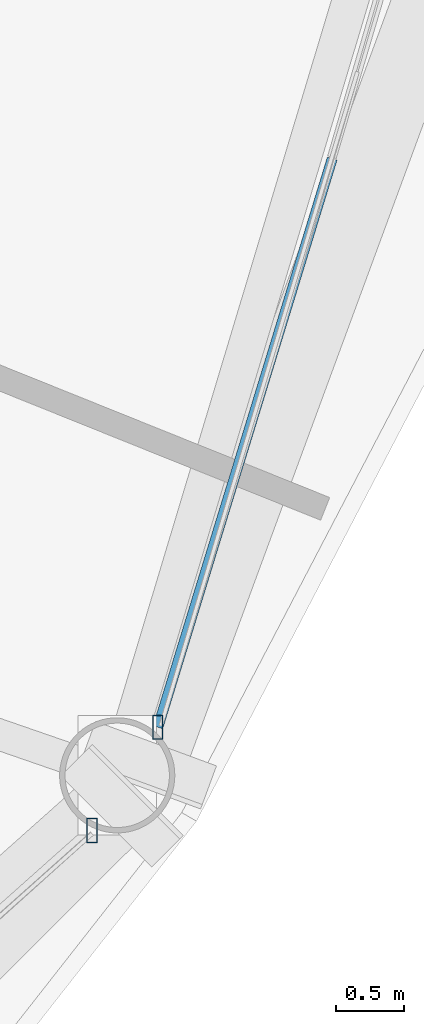
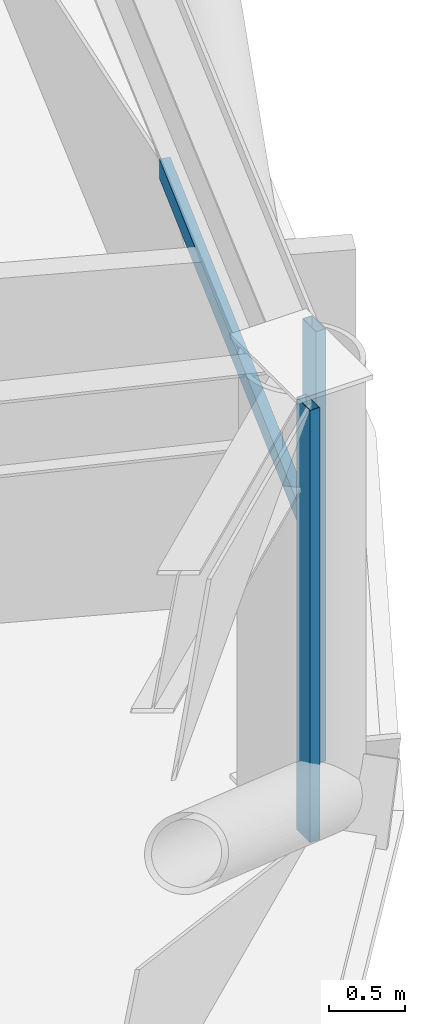
# One storey, part 12 of 30: 3 members, 2 elements without a shape of their own.
"""IFC4 building model written with IfcOpenShell, lengths in metres."""

from ifc_helpers import new_model, si_unit, direction, frame, origin, origin_2d, place, context, subcontext, project, spatial, hollow_rectangle, extrude, material, layer, layer_set, material_profile, profile_set, type_object, element, aggregate, save


model = new_model("IFC4")

# Units and contexts
model_context = context("Model", 3, precision=1e-05, world=origin(), true_north=direction((0.0, 1.0)))
body_context = subcontext(model_context, "Body", "Model", "MODEL_VIEW")
ifc_project = project(units=[si_unit("LENGTHUNIT", "METRE"), si_unit("AREAUNIT", "SQUARE_METRE"), si_unit("VOLUMEUNIT", "CUBIC_METRE"), si_unit("PLANEANGLEUNIT", "RADIAN"), si_unit("MASSUNIT", "GRAM", prefix="KILO")], contexts=[model_context])

# Site, building, storey
site_placement = place(None, origin())
site = spatial("IfcSite", under=ifc_project, at=site_placement, CompositionType="ELEMENT")
building_placement = place(site_placement, origin())
building = spatial("IfcBuilding", under=site, at=building_placement, Name="Vantalir Tower", CompositionType="ELEMENT")
storey_placement = place(building_placement, frame((0.0, 0.0, 49.5)))
storey = spatial("IfcBuildingStorey", under=building, at=storey_placement, Name="L11", CompositionType="ELEMENT", Elevation=49.5)

# Curtain wall, member
ifc_material_1 = material(Name="Champagne-silver PVDF aluminium and double-silver Low-E glass", Category="aluminium")
ifc_layer = layer(ifc_material_1, 0.18994140625)
ifc_layer_set = layer_set([ifc_layer], Name="Champagne-silver PVDF aluminium and double-silver Low-E glass")
curtain_wall_type = type_object("IfcCurtainWallType", Name="CW-DIAMOND-Z1", PredefinedType="USERDEFINED", material=ifc_layer_set)
curtain_wall_1_placement = place(storey_placement, origin())
curtain_wall_1 = element("IfcCurtainWall", 1, at=curtain_wall_1_placement, inside=storey, type_object=curtain_wall_type, Name="L11 Quilted Pyramid-Diamond Curtain Wall S11", ObjectType="UNITISED CURTAIN WALL", PredefinedType="USERDEFINED")
ifc_material_2 = material(Name="Champagne-silver PVDF aluminium 6063-T6", Category="aluminium")
ifc_material_profile_1 = material_profile(ifc_material_2, hollow_rectangle(XDim=0.074951171875, YDim=0.179931640625, WallThickness=0.00390625, at=origin_2d()), Name="Champagne-silver PVDF aluminium 6063-T6")
ifc_profile_set_1 = profile_set([ifc_material_profile_1], Name="Champagne-silver PVDF aluminium 6063-T6")
member_type_1 = type_object("IfcMemberType", Name="CWM-180x75", PredefinedType="MULLION", material=ifc_profile_set_1)
member_1_placement = place(storey_placement, frame((54.384033203125, 12.72900390625, 0.044921875), z_axis=(0.0, 0.0, 1.0), x_axis=(1.0, 0.0, 0.0)))
member_1 = element("IfcMember", 2, at=member_1_placement, type_object=member_type_1, Name="CW-L11-S11 Mullion 2", PredefinedType="MULLION", context=body_context, shape_type="SweptSolid", body=[
    extrude(hollow_rectangle(XDim=0.074951171875, YDim=0.179931640625, WallThickness=0.00390625, at=origin_2d()), origin(), (0.0, 0.0, 1.0), 3.47998046875),
])
aggregate(curtain_wall_1, [member_1])

# Curtain wall, members
curtain_wall_2_placement = place(storey_placement, origin())
curtain_wall_2 = element("IfcCurtainWall", 3, at=curtain_wall_2_placement, inside=storey, type_object=curtain_wall_type, Name="L11 Quilted Pyramid-Diamond Curtain Wall S12", ObjectType="UNITISED CURTAIN WALL", PredefinedType="USERDEFINED")
member_2_placement = place(storey_placement, frame((54.8701171875, 13.491943359375, 0.044921875), z_axis=(0.0, 0.0, 1.0), x_axis=(1.0, 0.0, 0.0)))
member_2 = element("IfcMember", 4, at=member_2_placement, type_object=member_type_1, Name="CW-L11-S12 Mullion 1", PredefinedType="MULLION", context=body_context, shape_type="SweptSolid", body=[
    extrude(hollow_rectangle(XDim=0.074951171875, YDim=0.179931640625, WallThickness=0.00390625, at=origin_2d()), origin(), (0.0, 0.0, 1.0), 3.47998046875),
])
ifc_material_profile_2 = material_profile(ifc_material_2, hollow_rectangle(XDim=0.074951171875, YDim=0.159912109375, WallThickness=0.00390625, at=origin_2d()), Name="Champagne-silver PVDF aluminium 6063-T6")
ifc_profile_set_2 = profile_set([ifc_material_profile_2], Name="Champagne-silver PVDF aluminium 6063-T6")
member_type_2 = type_object("IfcMemberType", Name="CWT-160x75", PredefinedType="USERDEFINED", material=ifc_profile_set_2)
member_3_placement = place(storey_placement, frame((54.8701171875, 13.491943359375, 1.784912109375), z_axis=(0.293065181142, 0.95609246394, 0.0), x_axis=(-0.95609246394, 0.293065181142, 0.0)))
member_3 = element("IfcMember", 5, at=member_3_placement, type_object=member_type_2, Name="CW-L11-S12 Pyramid Fold Ridge Transom", ObjectType="TRANSOM", PredefinedType="USERDEFINED", context=body_context, shape_type="SweptSolid", body=[
    extrude(hollow_rectangle(XDim=0.074951171875, YDim=0.159912109375, WallThickness=0.00390625, at=origin_2d()), origin(), (0.0, 0.0, 1.0), 4.3876953125),
])
aggregate(curtain_wall_2, [member_2, member_3])

save(model, "model.ifc")
